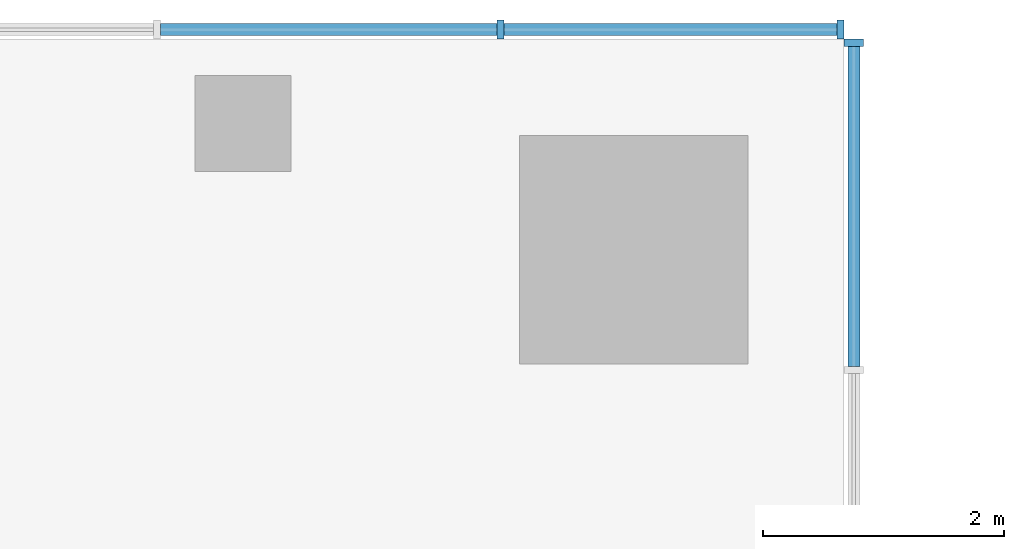
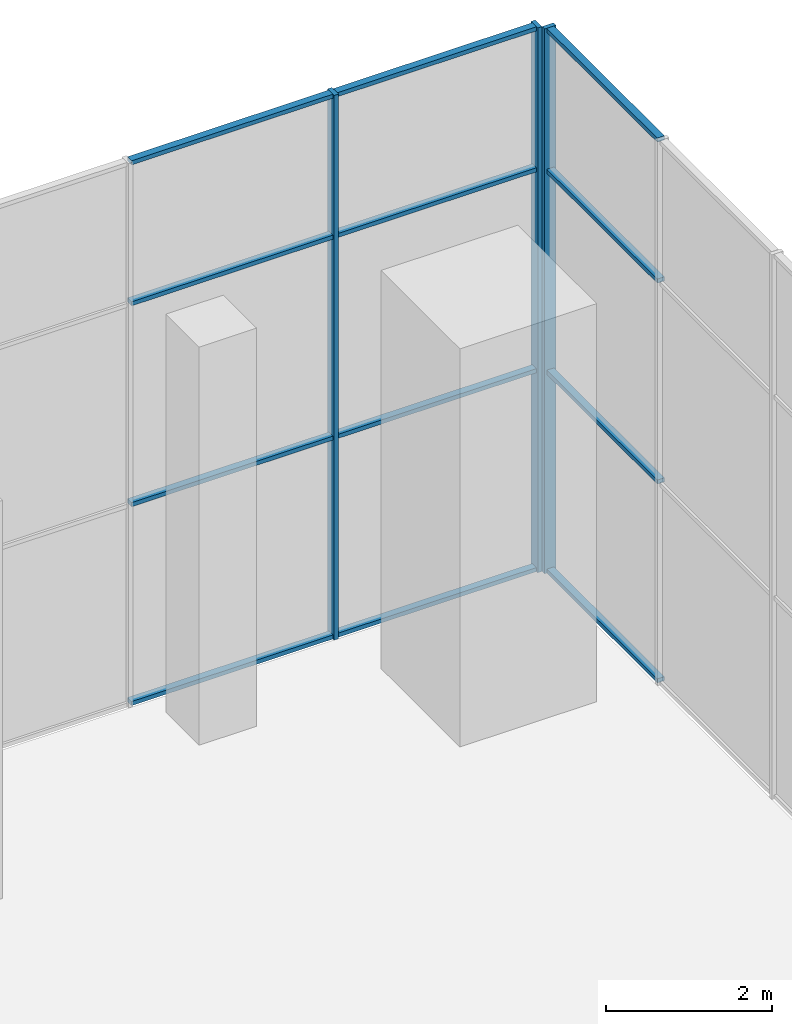
# One storey, part 7 of 12: 15 members, 2 elements without a shape of their own.
"""IFC4 building model written with IfcOpenShell, lengths in metres."""

from ifc_helpers import new_model, si_unit, direction, frame, origin, origin_2d, place, context, subcontext, project, spatial, rectangle, extrude, material, material_profile, profile_set, type_object, element, aggregate, save


model = new_model("IFC4")

# Units and contexts
model_context = context("Model", 3, precision=1e-05, world=origin(), true_north=direction((0.0, 1.0)))
body_context = subcontext(model_context, "Body", "Model", "MODEL_VIEW")
ifc_project = project(units=[si_unit("LENGTHUNIT", "METRE"), si_unit("AREAUNIT", "SQUARE_METRE"), si_unit("VOLUMEUNIT", "CUBIC_METRE"), si_unit("PLANEANGLEUNIT", "RADIAN"), si_unit("MASSUNIT", "GRAM", prefix="KILO")], contexts=[model_context])

# Site, building, storey
site_placement = place(None, origin())
site = spatial("IfcSite", under=ifc_project, at=site_placement, CompositionType="ELEMENT")
building_placement = place(site_placement, origin())
building = spatial("IfcBuilding", under=site, at=building_placement, Name="Svetlomir Tower", CompositionType="ELEMENT")
storey_placement = place(building_placement, frame((0.0, 0.0, 283.89990234375)))
storey = spatial("IfcBuildingStorey", under=building, at=storey_placement, Name="L67", CompositionType="ELEMENT", Elevation=283.89990234375)

# Curtain wall, member
ifc_material_1 = material(Name="Bronze anodised aluminium curtain wall", Category="aluminium")
curtain_wall_type = type_object("IfcCurtainWallType", Name="CURTAIN WALL CW6 LANTERN", PredefinedType="NOTDEFINED", material=ifc_material_1)
curtain_wall_1_placement = place(storey_placement, origin())
curtain_wall_1 = element("IfcCurtainWall", 1, at=curtain_wall_1_placement, inside=storey, type_object=curtain_wall_type, Name="Curtain wall CW6 L67", PredefinedType="NOTDEFINED")
ifc_material_2 = material(Name="Bronze anodised aluminium", Category="aluminium")
ifc_material_profile_1 = material_profile(ifc_material_2, rectangle(XDim=0.06005859375, YDim=0.159912109375, at=origin_2d()), Name="AL 60x160")
ifc_profile_set_1 = profile_set([ifc_material_profile_1], Name="Bronze anodised aluminium 6063-T6")
member_type_1 = type_object("IfcMemberType", Name="CW6 MULLION 60x160", PredefinedType="MULLION", material=ifc_profile_set_1)
member_1_placement = place(storey_placement, frame((31.080078125, 41.969970703125, 0.0), z_axis=(0.0, 0.0, 1.0), x_axis=(0.0, 1.0, 0.0)))
member_1 = element("IfcMember", 2, at=member_1_placement, type_object=member_type_1, Name="CW6 mullion 5", PredefinedType="MULLION", context=body_context, shape_type="SweptSolid", body=[
    extrude(rectangle(XDim=0.06005859375, YDim=0.159912109375, at=origin_2d()), origin(), (0.0, 0.0, 1.0), 8.0),
])

# Curtain wall, members
curtain_wall_2_placement = place(storey_placement, origin())
curtain_wall_2 = element("IfcCurtainWall", 3, at=curtain_wall_2_placement, inside=storey, type_object=curtain_wall_type, Name="Curtain wall CW6 L67", PredefinedType="NOTDEFINED")
member_2_placement = place(storey_placement, frame((30.969970703125, 42.080078125, 0.0), z_axis=(0.0, 0.0, 1.0), x_axis=(-1.0, 0.0, 0.0)))
member_2 = element("IfcMember", 4, at=member_2_placement, type_object=member_type_1, Name="CW6 mullion 1", PredefinedType="MULLION", context=body_context, shape_type="SweptSolid", body=[
    extrude(rectangle(XDim=0.06005859375, YDim=0.159912109375, at=origin_2d()), origin(), (0.0, 0.0, 1.0), 8.0),
])
member_3_placement = place(storey_placement, frame((28.142822265625, 42.080078125, 0.0), z_axis=(0.0, 0.0, 1.0), x_axis=(-1.0, 0.0, 0.0)))
member_3 = element("IfcMember", 5, at=member_3_placement, type_object=member_type_1, Name="CW6 mullion 2", PredefinedType="MULLION", context=body_context, shape_type="SweptSolid", body=[
    extrude(rectangle(XDim=0.06005859375, YDim=0.159912109375, at=origin_2d()), origin(), (0.0, 0.0, 1.0), 8.0),
])

# Member
ifc_material_3 = material(Name="Bronze anodised aluminium", Category="aluminium")
ifc_material_profile_2 = material_profile(ifc_material_3, rectangle(XDim=0.10009765625, YDim=0.06005859375, at=origin_2d()), Name="AL 100x60")
ifc_profile_set_2 = profile_set([ifc_material_profile_2], Name="Bronze anodised aluminium 6063-T6")
member_type_2 = type_object("IfcMemberType", Name="CW6 TRANSOM 60x100", PredefinedType="USERDEFINED", material=ifc_profile_set_2)
member_4_placement = place(storey_placement, frame((31.080078125, 39.280029296875, 0.030029296875), z_axis=(0.0, 1.0, 0.0), x_axis=(-1.0, 0.0, 0.0)))
member_4 = element("IfcMember", 6, at=member_4_placement, type_object=member_type_2, Name="CW6 transom 4.1", ObjectType="TRANSOM", PredefinedType="USERDEFINED", context=body_context, shape_type="SweptSolid", body=[
    extrude(rectangle(XDim=0.10009765625, YDim=0.06005859375, at=origin_2d()), origin(), (0.0, 0.0, 1.0), 2.659912109375),
])

member_5_placement = place(storey_placement, frame((31.080078125, 39.280029296875, 2.9501953125), z_axis=(0.0, 1.0, 0.0), x_axis=(-1.0, 0.0, 0.0)))
member_5 = element("IfcMember", 7, at=member_5_placement, type_object=member_type_2, Name="CW6 transom 4.2", ObjectType="TRANSOM", PredefinedType="USERDEFINED", context=body_context, shape_type="SweptSolid", body=[
    extrude(rectangle(XDim=0.10009765625, YDim=0.06005859375, at=origin_2d()), origin(), (0.0, 0.0, 1.0), 2.659912109375),
])

member_6_placement = place(storey_placement, frame((31.080078125, 39.280029296875, 5.900146484375), z_axis=(0.0, 1.0, 0.0), x_axis=(-1.0, 0.0, 0.0)))
member_6 = element("IfcMember", 8, at=member_6_placement, type_object=member_type_2, Name="CW6 transom 4.3", ObjectType="TRANSOM", PredefinedType="USERDEFINED", context=body_context, shape_type="SweptSolid", body=[
    extrude(rectangle(XDim=0.10009765625, YDim=0.06005859375, at=origin_2d()), origin(), (0.0, 0.0, 1.0), 2.659912109375),
])

member_7_placement = place(storey_placement, frame((31.080078125, 39.280029296875, 7.97021484375), z_axis=(0.0, 1.0, 0.0), x_axis=(-1.0, 0.0, 0.0)))
member_7 = element("IfcMember", 9, at=member_7_placement, type_object=member_type_2, Name="CW6 transom 4.4", ObjectType="TRANSOM", PredefinedType="USERDEFINED", context=body_context, shape_type="SweptSolid", body=[
    extrude(rectangle(XDim=0.10009765625, YDim=0.06005859375, at=origin_2d()), origin(), (0.0, 0.0, 1.0), 2.659912109375),
])

aggregate(curtain_wall_1, [member_1, member_4, member_5, member_6, member_7])

member_8_placement = place(storey_placement, frame((30.93994140625, 42.080078125, 0.030029296875), z_axis=(-1.0, 0.0, 0.0), x_axis=(0.0, -1.0, 0.0)))
member_8 = element("IfcMember", 10, at=member_8_placement, type_object=member_type_2, Name="CW6 transom 1.1", ObjectType="TRANSOM", PredefinedType="USERDEFINED", context=body_context, shape_type="SweptSolid", body=[
    extrude(rectangle(XDim=0.10009765625, YDim=0.06005859375, at=origin_2d()), origin(), (0.0, 0.0, 1.0), 2.76708984375),
])

member_9_placement = place(storey_placement, frame((30.93994140625, 42.080078125, 2.9501953125), z_axis=(-1.0, 0.0, 0.0), x_axis=(0.0, -1.0, 0.0)))
member_9 = element("IfcMember", 11, at=member_9_placement, type_object=member_type_2, Name="CW6 transom 1.2", ObjectType="TRANSOM", PredefinedType="USERDEFINED", context=body_context, shape_type="SweptSolid", body=[
    extrude(rectangle(XDim=0.10009765625, YDim=0.06005859375, at=origin_2d()), origin(), (0.0, 0.0, 1.0), 2.76708984375),
])

member_10_placement = place(storey_placement, frame((30.93994140625, 42.080078125, 5.900146484375), z_axis=(-1.0, 0.0, 0.0), x_axis=(0.0, -1.0, 0.0)))
member_10 = element("IfcMember", 12, at=member_10_placement, type_object=member_type_2, Name="CW6 transom 1.3", ObjectType="TRANSOM", PredefinedType="USERDEFINED", context=body_context, shape_type="SweptSolid", body=[
    extrude(rectangle(XDim=0.10009765625, YDim=0.06005859375, at=origin_2d()), origin(), (0.0, 0.0, 1.0), 2.76708984375),
])

member_11_placement = place(storey_placement, frame((30.93994140625, 42.080078125, 7.97021484375), z_axis=(-1.0, 0.0, 0.0), x_axis=(0.0, -1.0, 0.0)))
member_11 = element("IfcMember", 13, at=member_11_placement, type_object=member_type_2, Name="CW6 transom 1.4", ObjectType="TRANSOM", PredefinedType="USERDEFINED", context=body_context, shape_type="SweptSolid", body=[
    extrude(rectangle(XDim=0.10009765625, YDim=0.06005859375, at=origin_2d()), origin(), (0.0, 0.0, 1.0), 2.76708984375),
])

member_12_placement = place(storey_placement, frame((28.11279296875, 42.080078125, 0.030029296875), z_axis=(-1.0, 0.0, 0.0), x_axis=(0.0, -1.0, 0.0)))
member_12 = element("IfcMember", 14, at=member_12_placement, type_object=member_type_2, Name="CW6 transom 2.1", ObjectType="TRANSOM", PredefinedType="USERDEFINED", context=body_context, shape_type="SweptSolid", body=[
    extrude(rectangle(XDim=0.10009765625, YDim=0.06005859375, at=origin_2d()), origin(), (0.0, 0.0, 1.0), 2.797119140625),
])

member_13_placement = place(storey_placement, frame((28.11279296875, 42.080078125, 2.9501953125), z_axis=(-1.0, 0.0, 0.0), x_axis=(0.0, -1.0, 0.0)))
member_13 = element("IfcMember", 15, at=member_13_placement, type_object=member_type_2, Name="CW6 transom 2.2", ObjectType="TRANSOM", PredefinedType="USERDEFINED", context=body_context, shape_type="SweptSolid", body=[
    extrude(rectangle(XDim=0.10009765625, YDim=0.06005859375, at=origin_2d()), origin(), (0.0, 0.0, 1.0), 2.797119140625),
])

member_14_placement = place(storey_placement, frame((28.11279296875, 42.080078125, 5.900146484375), z_axis=(-1.0, 0.0, 0.0), x_axis=(0.0, -1.0, 0.0)))
member_14 = element("IfcMember", 16, at=member_14_placement, type_object=member_type_2, Name="CW6 transom 2.3", ObjectType="TRANSOM", PredefinedType="USERDEFINED", context=body_context, shape_type="SweptSolid", body=[
    extrude(rectangle(XDim=0.10009765625, YDim=0.06005859375, at=origin_2d()), origin(), (0.0, 0.0, 1.0), 2.797119140625),
])

member_15_placement = place(storey_placement, frame((28.11279296875, 42.080078125, 7.97021484375), z_axis=(-1.0, 0.0, 0.0), x_axis=(0.0, -1.0, 0.0)))
member_15 = element("IfcMember", 17, at=member_15_placement, type_object=member_type_2, Name="CW6 transom 2.4", ObjectType="TRANSOM", PredefinedType="USERDEFINED", context=body_context, shape_type="SweptSolid", body=[
    extrude(rectangle(XDim=0.10009765625, YDim=0.06005859375, at=origin_2d()), origin(), (0.0, 0.0, 1.0), 2.797119140625),
])

aggregate(curtain_wall_2, [member_2, member_3, member_8, member_9, member_10, member_11, member_12, member_13, member_14, member_15])

save(model, "model.ifc")
